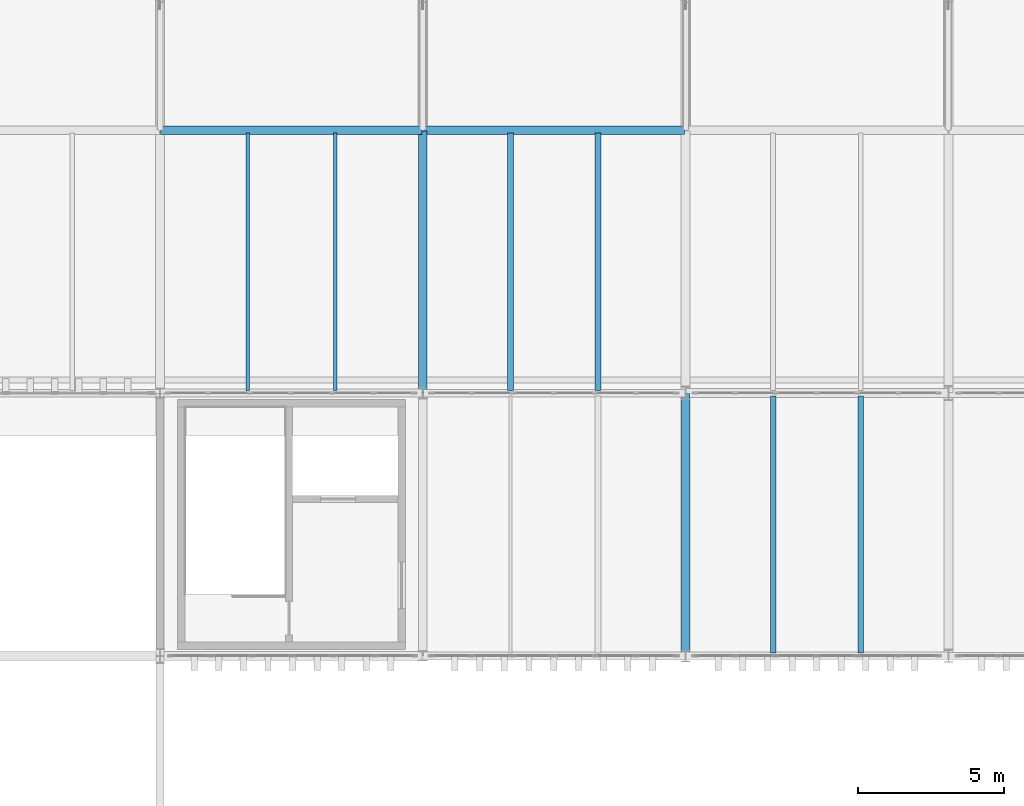
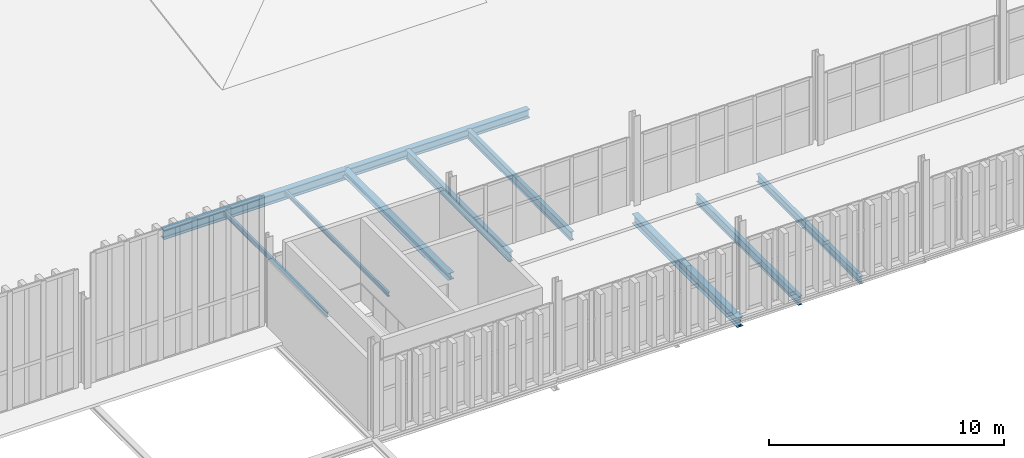
# One storey, part 33 of 196: 10 beams.
"""IFC4 building model written with IfcOpenShell, lengths in metres."""

from ifc_helpers import new_model, si_unit, direction, frame, origin, origin_2d, place, context, subcontext, project, spatial, i_section, extrude, material, material_profile, profile_set, type_object, element, save


model = new_model("IFC4")

# Units and contexts
model_context = context("Model", 3, precision=1e-05, world=origin(), true_north=direction((0.0, 1.0)))
body_context = subcontext(model_context, "Body", "Model", "MODEL_VIEW")
ifc_project = project(units=[si_unit("LENGTHUNIT", "METRE"), si_unit("AREAUNIT", "SQUARE_METRE"), si_unit("VOLUMEUNIT", "CUBIC_METRE"), si_unit("PLANEANGLEUNIT", "RADIAN"), si_unit("MASSUNIT", "GRAM", prefix="KILO")], contexts=[model_context])

# Site, building, storey
site_placement = place(None, origin())
site = spatial("IfcSite", under=ifc_project, at=site_placement, CompositionType="ELEMENT")
building_placement = place(site_placement, origin())
building = spatial("IfcBuilding", under=site, at=building_placement, Name="Barlavento Convention Centre", CompositionType="ELEMENT")
storey_placement = place(building_placement, frame((0.0, 0.0, 18.0)))
storey = spatial("IfcBuildingStorey", under=building, at=storey_placement, Name="L03", CompositionType="ELEMENT", Elevation=18.0)

# Beams
ifc_material = material(Name="Steel S355", Category="steel")
ifc_material_profile_1 = material_profile(ifc_material, i_section(OverallWidth=0.110107421875, OverallDepth=0.219970703125, WebThickness=0.005859375, FlangeThickness=0.00927734375, FilletRadius=0.011962890625, at=origin_2d()), Name="IPE 220")
ifc_profile_set_1 = profile_set([ifc_material_profile_1], Name="Steel S355")
beam_type_1 = type_object("IfcBeamType", Name="STR-BM-JST-IPE220", PredefinedType="JOIST", material=ifc_profile_set_1)
beam_1_placement = place(storey_placement, frame((69.0, 54.094970703125, -0.455078125), z_axis=(0.0, 1.0, 0.0), x_axis=(-1.0, 0.0, 0.0)))
element("IfcBeam", 1, at=beam_1_placement, inside=storey, type_object=beam_type_1, Name="L03 composite floor joist SJ10", PredefinedType="JOIST", context=body_context, shape_type="SweptSolid", body=[
    extrude(i_section(OverallWidth=0.110107421875, OverallDepth=0.219970703125, WebThickness=0.005859375, FlangeThickness=0.00927734375, FilletRadius=0.011962890625, at=origin_2d()), origin(), (0.0, 0.0, 1.0), 8.81005859375),
])
ifc_material_profile_2 = material_profile(ifc_material, i_section(OverallWidth=0.1201171875, OverallDepth=0.239990234375, WebThickness=0.006103515625, FlangeThickness=0.009765625, FilletRadius=0.014892578125, at=origin_2d()), Name="IPE 240")
ifc_profile_set_2 = profile_set([ifc_material_profile_2], Name="Steel S355")
beam_type_2 = type_object("IfcBeamType", Name="STR-BM-JST-IPE240", PredefinedType="JOIST", material=ifc_profile_set_2)
beam_2_placement = place(storey_placement, frame((66.0, 54.094970703125, -0.465087890625), z_axis=(0.0, 1.0, 0.0), x_axis=(-1.0, 0.0, 0.0)))
element("IfcBeam", 2, at=beam_2_placement, inside=storey, type_object=beam_type_2, Name="L03 composite floor joist SJ09", PredefinedType="JOIST", context=body_context, shape_type="SweptSolid", body=[
    extrude(i_section(OverallWidth=0.1201171875, OverallDepth=0.239990234375, WebThickness=0.006103515625, FlangeThickness=0.009765625, FilletRadius=0.014892578125, at=origin_2d()), origin(), (0.0, 0.0, 1.0), 8.81005859375),
])
ifc_material_profile_3 = material_profile(ifc_material, i_section(OverallWidth=0.179931640625, OverallDepth=0.39990234375, WebThickness=0.008544921875, FlangeThickness=0.013427734375, FilletRadius=0.02099609375, at=origin_2d()), Name="IPE 400")
ifc_profile_set_3 = profile_set([ifc_material_profile_3], Name="Steel S355")
beam_type_3 = type_object("IfcBeamType", Name="STR-BM-JST-IPE400", PredefinedType="JOIST", material=ifc_profile_set_3)
beam_3_placement = place(storey_placement, frame((87.0, 45.094970703125, -0.544921875), z_axis=(0.0, 1.0, 0.0), x_axis=(-1.0, 0.0, 0.0)))
element("IfcBeam", 3, at=beam_3_placement, inside=storey, type_object=beam_type_3, Name="L03 composite floor joist SJ04", PredefinedType="JOIST", context=body_context, shape_type="SweptSolid", body=[
    extrude(i_section(OverallWidth=0.179931640625, OverallDepth=0.39990234375, WebThickness=0.008544921875, FlangeThickness=0.013427734375, FilletRadius=0.02099609375, at=origin_2d()), origin(), (0.0, 0.0, 1.0), 8.81005859375),
])
ifc_material_profile_4 = material_profile(ifc_material, i_section(OverallWidth=0.18994140625, OverallDepth=0.449951171875, WebThickness=0.009521484375, FlangeThickness=0.0146484375, FilletRadius=0.02099609375, at=origin_2d()), Name="IPE 450")
ifc_profile_set_4 = profile_set([ifc_material_profile_4], Name="Steel S355")
beam_type_4 = type_object("IfcBeamType", Name="STR-BM-JST-IPE450", PredefinedType="JOIST", material=ifc_profile_set_4)
for number, where, z_axis, x_axis, name in (
    (4, (84.0, 45.094970703125, -0.570068359375), (0.0, 1.0, 0.0), (-1.0, 0.0, 0.0), "L03 composite floor joist SJ03"),
    (5, (78.0, 54.094970703125, -0.570068359375), (0.0, 1.0, 0.0), (-1.0, 0.0, 0.0), "L03 composite floor joist SJ03"),
):
    element("IfcBeam", number, at=place(storey_placement, frame(where, z_axis=z_axis, x_axis=x_axis)), inside=storey, type_object=beam_type_4, Name=name, PredefinedType="JOIST", context=body_context, shape_type="SweptSolid", body=[
        extrude(i_section(OverallWidth=0.18994140625, OverallDepth=0.449951171875, WebThickness=0.009521484375, FlangeThickness=0.0146484375, FilletRadius=0.02099609375, at=origin_2d()), origin(), (0.0, 0.0, 1.0), 8.81005859375),
    ])
ifc_material_profile_5 = material_profile(ifc_material, i_section(OverallWidth=0.199951171875, OverallDepth=0.5, WebThickness=0.01025390625, FlangeThickness=0.01611328125, FilletRadius=0.02099609375, at=origin_2d()), Name="IPE 500")
ifc_profile_set_5 = profile_set([ifc_material_profile_5], Name="Steel S355")
beam_type_5 = type_object("IfcBeamType", Name="STR-BM-JST-IPE500", PredefinedType="JOIST", material=ifc_profile_set_5)
beam_4_placement = place(storey_placement, frame((75.0, 54.094970703125, -0.594970703125), z_axis=(0.0, 1.0, 0.0), x_axis=(-1.0, 0.0, 0.0)))
element("IfcBeam", 6, at=beam_4_placement, inside=storey, type_object=beam_type_5, Name="L03 composite floor joist SJ02", PredefinedType="JOIST", context=body_context, shape_type="SweptSolid", body=[
    extrude(i_section(OverallWidth=0.199951171875, OverallDepth=0.5, WebThickness=0.01025390625, FlangeThickness=0.01611328125, FilletRadius=0.02099609375, at=origin_2d()), origin(), (0.0, 0.0, 1.0), 8.81005859375),
])
ifc_material_profile_6 = material_profile(ifc_material, i_section(OverallWidth=0.300048828125, OverallDepth=0.35009765625, WebThickness=0.010009765625, FlangeThickness=0.017578125, FilletRadius=0.027099609375, at=origin_2d()), Name="HEA 360")
ifc_profile_set_6 = profile_set([ifc_material_profile_6], Name="Steel S355")
beam_type_6 = type_object("IfcBeamType", Name="STR-BM-PRI-HEA360", PredefinedType="BEAM", material=ifc_profile_set_6)
beam_5_placement = place(storey_placement, frame((72.0, 54.02001953125, -0.52001953125), z_axis=(0.0, 1.0, 0.0), x_axis=(-1.0, 0.0, 0.0)))
element("IfcBeam", 7, at=beam_5_placement, inside=storey, type_object=beam_type_6, Name="L03 grid girder BG23", PredefinedType="BEAM", context=body_context, shape_type="SweptSolid", body=[
    extrude(i_section(OverallWidth=0.300048828125, OverallDepth=0.35009765625, WebThickness=0.010009765625, FlangeThickness=0.017578125, FilletRadius=0.027099609375, at=origin_2d()), origin(), (0.0, 0.0, 1.0), 8.9599609375),
])
ifc_material_profile_7 = material_profile(ifc_material, i_section(OverallWidth=0.300048828125, OverallDepth=0.489990234375, WebThickness=0.011962890625, FlangeThickness=0.02294921875, FilletRadius=0.027099609375, at=origin_2d()), Name="HEA 500")
ifc_profile_set_7 = profile_set([ifc_material_profile_7], Name="Steel S355")
beam_type_7 = type_object("IfcBeamType", Name="STR-BM-PRI-HEA500", PredefinedType="BEAM", material=ifc_profile_set_7)
beam_6_placement = place(storey_placement, frame((81.0, 45.02001953125, -0.590087890625), z_axis=(0.0, 1.0, 0.0), x_axis=(-1.0, 0.0, 0.0)))
element("IfcBeam", 8, at=beam_6_placement, inside=storey, type_object=beam_type_7, Name="L03 grid girder BG20", PredefinedType="BEAM", context=body_context, shape_type="SweptSolid", body=[
    extrude(i_section(OverallWidth=0.300048828125, OverallDepth=0.489990234375, WebThickness=0.011962890625, FlangeThickness=0.02294921875, FilletRadius=0.027099609375, at=origin_2d()), origin(), (0.0, 0.0, 1.0), 8.9599609375),
])
ifc_material_profile_8 = material_profile(ifc_material, i_section(OverallWidth=0.300048828125, OverallDepth=0.449951171875, WebThickness=0.013916015625, FlangeThickness=0.02587890625, FilletRadius=0.027099609375, at=origin_2d()), Name="HEB 450")
ifc_profile_set_8 = profile_set([ifc_material_profile_8], Name="Steel S355")
beam_type_8 = type_object("IfcBeamType", Name="STR-BM-PRI-HEB450", PredefinedType="BEAM", material=ifc_profile_set_8)
beam_7_placement = place(storey_placement, frame((72.02001953125, 63.0, -0.570068359375), z_axis=(1.0, 0.0, 0.0), x_axis=(0.0, 1.0, 0.0)))
element("IfcBeam", 9, at=beam_7_placement, inside=storey, type_object=beam_type_8, Name="L03 primary girder BG10", PredefinedType="BEAM", context=body_context, shape_type="SweptSolid", body=[
    extrude(i_section(OverallWidth=0.300048828125, OverallDepth=0.449951171875, WebThickness=0.013916015625, FlangeThickness=0.02587890625, FilletRadius=0.027099609375, at=origin_2d()), origin(), (0.0, 0.0, 1.0), 8.9599609375),
])
ifc_material_profile_9 = material_profile(ifc_material, i_section(OverallWidth=0.300048828125, OverallDepth=0.5, WebThickness=0.014404296875, FlangeThickness=0.028076171875, FilletRadius=0.027099609375, at=origin_2d()), Name="HEB 500")
ifc_profile_set_9 = profile_set([ifc_material_profile_9], Name="Steel S355")
beam_type_9 = type_object("IfcBeamType", Name="STR-BM-PRI-HEB500", PredefinedType="BEAM", material=ifc_profile_set_9)
beam_8_placement = place(storey_placement, frame((63.02001953125, 63.0, -0.594970703125), z_axis=(1.0, 0.0, 0.0), x_axis=(0.0, 1.0, 0.0)))
element("IfcBeam", 10, at=beam_8_placement, inside=storey, type_object=beam_type_9, Name="L03 primary girder BG09", PredefinedType="BEAM", context=body_context, shape_type="SweptSolid", body=[
    extrude(i_section(OverallWidth=0.300048828125, OverallDepth=0.5, WebThickness=0.014404296875, FlangeThickness=0.028076171875, FilletRadius=0.027099609375, at=origin_2d()), origin(), (0.0, 0.0, 1.0), 8.9599609375),
])

save(model, "model.ifc")
